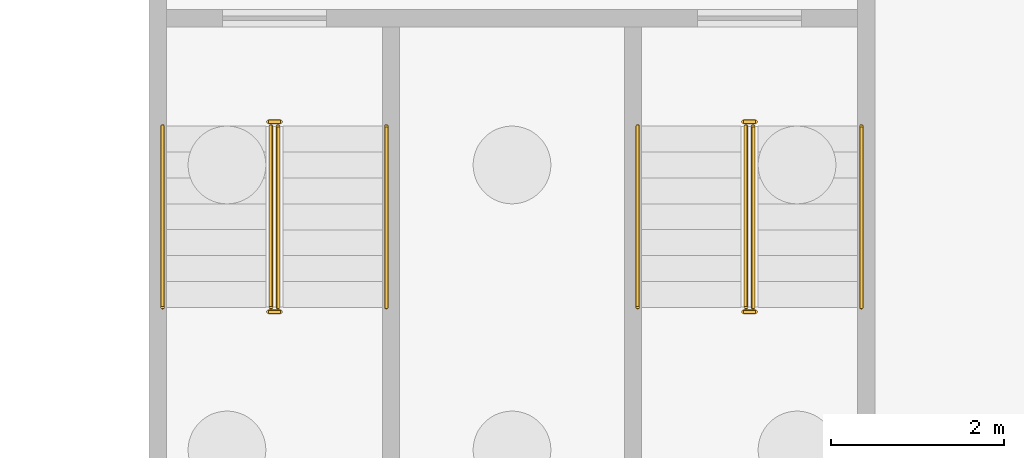
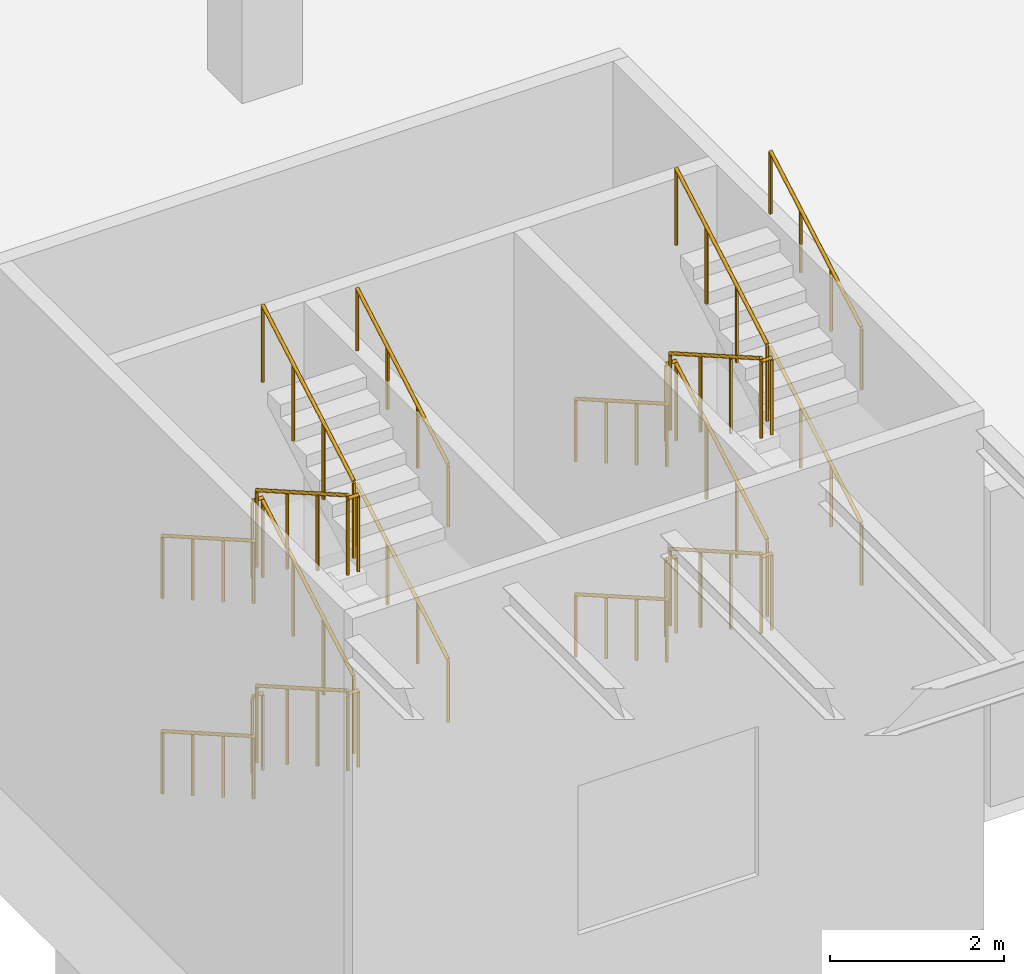
# One storey, part 60 of 82: 24 railings.
"""IFC4 building model written with IfcOpenShell, lengths in metres."""

import ifcopenshell
import ifcopenshell.guid

model = None  # the IFC model being written
_history = None  # IfcOwnerHistory: only IFC2X3 demands one
_inside = {}  # id of a spatial element -> (the spatial element, [elements in it])
_under = {}  # id of a project, library or spatial element -> (it, [spatial elements below it])
_declared = {}  # id of a project -> (the project, [libraries it declares])
_typed = {}  # id of a type object -> (the type object, [elements of that type])
_made_of = {}  # id of a material, layer set ... -> (it, [elements and type objects made of it])


def new_model(schema):
    """Start an empty IFC model of exactly this schema.

    Asked for "IFC4X3", IfcOpenShell would pick the latest addendum, in which some entities
    have other attributes; the version numbers below select the first issue.
    IFC2X3 requires an IfcOwnerHistory on every rooted entity: one is made here for all.
    """
    global model, _history
    if schema == "IFC4X3":
        model = ifcopenshell.file(schema_version=(4, 3, 0, 0))
    else:
        model = ifcopenshell.file(schema=schema)
    _inside.clear()
    _under.clear()
    _declared.clear()
    _typed.clear()
    _made_of.clear()
    _history = None
    if model.schema == "IFC2X3":
        org = make("IfcOrganization", Name="unknown")
        user = make(
            "IfcPersonAndOrganization",
            ThePerson=make("IfcPerson", FamilyName="unknown"),
            TheOrganization=org,
        )
        app = make(
            "IfcApplication",
            ApplicationDeveloper=org,
            Version="unknown",
            ApplicationFullName="unknown",
            ApplicationIdentifier="unknown",
        )
        _history = make(
            "IfcOwnerHistory",
            OwningUser=user,
            OwningApplication=app,
            ChangeAction="ADDED",
            CreationDate=0,
        )
    return model


def make(cls, **values):
    """One entity of the class cls with the attributes given. An attribute that is None is left unset."""
    return model.create_entity(
        cls, **{name: value for name, value in values.items() if value is not None}
    )


def rooted(cls, **values):
    """An entity with a GlobalId (a new one), such as an element, a storey or a relation."""
    return make(cls, GlobalId=ifcopenshell.guid.new(), OwnerHistory=_history, **values)


def si_unit(unit_type, name, prefix=None):
    """IfcSIUnit, for example si_unit("LENGTHUNIT", "METRE", prefix="MILLI")."""
    return make("IfcSIUnit", UnitType=unit_type, Prefix=prefix, Name=name)


def assignment(units):
    """IfcUnitAssignment: the units of a project."""
    return None if units is None else make("IfcUnitAssignment", Units=units)


def point(xyz):
    """IfcCartesianPoint."""
    return None if xyz is None else make("IfcCartesianPoint", Coordinates=xyz)


def direction(xyz):
    """IfcDirection."""
    return None if xyz is None else make("IfcDirection", DirectionRatios=xyz)


def frame(location, z_axis=None, x_axis=None):
    """IfcAxis2Placement3D, a coordinate frame: its origin and axes. An axis left out is left unset."""
    return make(
        "IfcAxis2Placement3D",
        Location=point(location),
        Axis=direction(z_axis),
        RefDirection=direction(x_axis),
    )


def frame_2d(location, x_axis=None):
    """IfcAxis2Placement2D, a coordinate frame in the plane: its origin and x axis."""
    return make(
        "IfcAxis2Placement2D", Location=point(location), RefDirection=direction(x_axis)
    )


def origin():
    """The frame at (0, 0, 0) with its axes left unset."""
    return frame((0.0, 0.0, 0.0))


def origin_2d():
    """The frame at (0, 0) in the plane with its x axis left unset."""
    return frame_2d((0.0, 0.0))


def place(relative_to, where):
    """IfcLocalPlacement: puts the frame where relative to a parent placement (None: the world)."""
    return make(
        "IfcLocalPlacement", PlacementRelTo=relative_to, RelativePlacement=where
    )


def context(
    kind, dimensions, precision=None, world=None, true_north=None, identifier=None
):
    """IfcGeometricRepresentationContext, for example the 3D "Model" context."""
    return make(
        "IfcGeometricRepresentationContext",
        ContextIdentifier=identifier,
        ContextType=kind,
        CoordinateSpaceDimension=dimensions,
        Precision=precision,
        WorldCoordinateSystem=world,
        TrueNorth=true_north,
    )


def subcontext(parent, identifier, kind, view, scale=None):
    """IfcGeometricRepresentationSubContext, for example "Body" below "Model"."""
    return make(
        "IfcGeometricRepresentationSubContext",
        ContextIdentifier=identifier,
        ContextType=kind,
        ParentContext=parent,
        TargetScale=scale,
        TargetView=view,
    )


def project(units=None, contexts=None):
    """IfcProject with its units and contexts."""
    return rooted(
        "IfcProject",
        Name="project",
        RepresentationContexts=contexts,
        UnitsInContext=assignment(units),
    )


def spatial(cls, under=None, at=None, **own):
    """A site, building, storey or space (cls), placed at a placement, below another one or the project."""
    s = rooted(cls, ObjectPlacement=at, **own)
    if under is not None:
        _under.setdefault(under.id(), (under, []))[1].append(s)
    return s


def profile(cls, at=None, kind="AREA", **sizes):
    """A parametric profile (cls). Its sizes go by their IFC names, for example OverallWidth=200.0."""
    return make(cls, ProfileType=kind, Position=at, **sizes)


def circle(**sizes):
    """IfcCircleProfileDef."""
    return profile("IfcCircleProfileDef", **sizes)


def extrude(swept, where, along, depth):
    """IfcExtrudedAreaSolid: the profile swept, set in the frame where, extruded along a direction by depth."""
    return make(
        "IfcExtrudedAreaSolid",
        SweptArea=swept,
        Position=where,
        ExtrudedDirection=direction(along),
        Depth=depth,
    )


def shape(context_of_items, identifier, shape_type, items):
    """IfcShapeRepresentation: the items that make up one representation, for example the "Body"."""
    return make(
        "IfcShapeRepresentation",
        ContextOfItems=context_of_items,
        RepresentationIdentifier=identifier,
        RepresentationType=shape_type,
        Items=items,
    )


def material(Name=None, Category=None):
    """IfcMaterial."""
    return make("IfcMaterial", Name=Name, Category=Category)


def made_of(thing, what):
    """Note that an element or type object is made of a material, layer set ...; save() writes the relation."""
    if what is not None:
        _made_of.setdefault(what.id(), (what, []))[1].append(thing)
    return thing


def type_object(cls, material=None, **own):
    """A type object (cls), such as IfcWallType, which elements share."""
    return made_of(rooted(cls, **own), material)


def element(
    cls,
    number,
    at=None,
    inside=None,
    cuts=None,
    type_object=None,
    material=None,
    context=None,
    identifier="Body",
    shape_type=None,
    held_by="IfcProductDefinitionShape",
    body=None,
    shapes=None,
    **own,
):
    """One element of the class cls, such as IfcWall. Its Tag is "e" and its number.

    at: its placement. inside: the storey or other place that contains it. cuts: it is an
    opening in that element (IfcRelVoidsElement). A single representation is given by context,
    identifier, shape_type and body (its items); several are given by shapes. held_by: the class
    of the entity that holds the representations. save() writes the other relations.
    """
    e = rooted(cls, Tag="e%d" % number, ObjectPlacement=at, **own)
    if body is not None:
        shapes = [shape(context, identifier, shape_type, body)]
    if shapes is not None:
        e.Representation = make(held_by, Representations=shapes)
    if inside is not None:
        _inside.setdefault(inside.id(), (inside, []))[1].append(e)
    if cuts is not None:
        rooted(
            "IfcRelVoidsElement", RelatingBuildingElement=cuts, RelatedOpeningElement=e
        )
    if type_object is not None:
        _typed.setdefault(type_object.id(), (type_object, []))[1].append(e)
    return made_of(e, material)


def aggregate(whole, parts):
    """IfcRelAggregates: a whole, such as a stair, and the parts it consists of."""
    return rooted("IfcRelAggregates", RelatingObject=whole, RelatedObjects=parts)


def save(model, path):
    """Write the relations noted so far, then the file.

    IfcRelAggregates (storeys below a building ...), IfcRelContainedInSpatialStructure (elements
    in a storey), IfcRelDefinesByType, IfcRelAssociatesMaterial and IfcRelDeclares: one each for
    every whole, place, type object, material and project.
    """
    for whole, parts in _under.values():
        aggregate(whole, parts)
    for where, things in _inside.values():
        rooted(
            "IfcRelContainedInSpatialStructure",
            RelatedElements=things,
            RelatingStructure=where,
        )
    for kind, things in _typed.values():
        rooted("IfcRelDefinesByType", RelatedObjects=things, RelatingType=kind)
    for what, things in _made_of.values():
        rooted("IfcRelAssociatesMaterial", RelatedObjects=things, RelatingMaterial=what)
    for by, libraries in _declared.values():
        rooted("IfcRelDeclares", RelatingContext=by, RelatedDefinitions=libraries)
    model.write(path)


model = new_model("IFC4")

# Units and contexts
model_context = context("Model", 3, precision=1e-05, world=origin(), true_north=direction((0.0, 1.0)))
body_context = subcontext(model_context, "Body", "Model", "MODEL_VIEW")
ifc_project = project(units=[si_unit("LENGTHUNIT", "METRE"), si_unit("AREAUNIT", "SQUARE_METRE"), si_unit("VOLUMEUNIT", "CUBIC_METRE"), si_unit("PLANEANGLEUNIT", "RADIAN"), si_unit("MASSUNIT", "GRAM", prefix="KILO")], contexts=[model_context])

# Site, building, storey
site_placement = place(None, origin())
site = spatial("IfcSite", under=ifc_project, at=site_placement, CompositionType="ELEMENT")
building_placement = place(site_placement, origin())
building = spatial("IfcBuilding", under=site, at=building_placement, Name="Almond Square Museum", CompositionType="ELEMENT")
storey_placement = place(building_placement, origin())
storey = spatial("IfcBuildingStorey", under=building, at=storey_placement, Name="L00", CompositionType="ELEMENT", Elevation=0.0)

# Railings
ifc_material_1 = material(Name="Stainless steel and laminated glass", Category="steel")
railing_type_1 = type_object("IfcRailingType", Name="Stair guard 1100 steel and glass", PredefinedType="GUARDRAIL", material=ifc_material_1)
railing_1_placement = place(storey_placement, frame((108.2099609375, 55.050048828125, 0.171875)))
element("IfcRailing", 1, at=railing_1_placement, inside=storey, type_object=railing_type_1, Name="L00 ST-01 stair guard 1", PredefinedType="GUARDRAIL", context=body_context, shape_type="SweptSolid", body=[
    extrude(circle(Radius=0.02392578125, at=origin_2d()), frame((0.0, 0.0, 1.076171875), z_axis=(0.0, -0.867696358075, 0.497094588769), x_axis=(1.0, 0.0, 0.0)), (0.0, 0.0, 1.0), 2.42041015625),
    extrude(circle(Radius=0.02099609375, at=origin_2d()), origin(), (0.0, 0.0, 1.0), 1.052001953125),
    extrude(circle(Radius=0.02099609375, at=origin_2d()), frame((0.0, -0.699951171875, 0.401123046875)), (0.0, 0.0, 1.0), 1.052001953125),
    extrude(circle(Radius=0.02099609375, at=origin_2d()), frame((0.0, -1.400146484375, 0.802001953125)), (0.0, 0.0, 1.0), 1.052001953125),
    extrude(circle(Radius=0.02099609375, at=origin_2d()), frame((0.0, -2.10009765625, 1.203125)), (0.0, 0.0, 1.0), 1.052001953125),
])
railing_2_placement = place(storey_placement, frame((108.179931640625, 52.89990234375, 1.375)))
element("IfcRailing", 2, at=railing_2_placement, inside=storey, type_object=railing_type_1, Name="L00 ST-01 stair guard 2", PredefinedType="GUARDRAIL", context=body_context, shape_type="SweptSolid", body=[
    extrude(circle(Radius=0.02392578125, at=origin_2d()), frame((0.0, 0.0, 1.076171875), z_axis=(1.0, 0.0, 0.0), x_axis=(0.0, 1.0, 0.0)), (0.0, 0.0, 1.0), 0.14013671875),
    extrude(circle(Radius=0.02099609375, at=origin_2d()), origin(), (0.0, 0.0, 1.0), 1.052001953125),
    extrude(circle(Radius=0.02099609375, at=origin_2d()), frame((0.14013671875, 0.0, 0.0)), (0.0, 0.0, 1.0), 1.052001953125),
])
railing_3_placement = place(storey_placement, frame((108.2900390625, 52.949951171875, 1.546875)))
element("IfcRailing", 3, at=railing_3_placement, inside=storey, type_object=railing_type_1, Name="L00 ST-01 stair guard 3", PredefinedType="GUARDRAIL", context=body_context, shape_type="SweptSolid", body=[
    extrude(circle(Radius=0.02392578125, at=origin_2d()), frame((0.0, 0.0, 1.076171875), z_axis=(0.0, 0.867696358075, 0.497094588769), x_axis=(-1.0, 0.0, 0.0)), (0.0, 0.0, 1.0), 2.42041015625),
    extrude(circle(Radius=0.02099609375, at=origin_2d()), origin(), (0.0, 0.0, 1.0), 1.052001953125),
    extrude(circle(Radius=0.02099609375, at=origin_2d()), frame((0.0, 0.699951171875, 0.401123046875)), (0.0, 0.0, 1.0), 1.052001953125),
    extrude(circle(Radius=0.02099609375, at=origin_2d()), frame((0.0, 1.400146484375, 0.802001953125)), (0.0, 0.0, 1.0), 1.052001953125),
    extrude(circle(Radius=0.02099609375, at=origin_2d()), frame((0.0, 2.10009765625, 1.203125)), (0.0, 0.0, 1.0), 1.052001953125),
])
railing_4_placement = place(storey_placement, frame((108.179931640625, 55.10009765625, 2.75)))
element("IfcRailing", 4, at=railing_4_placement, inside=storey, type_object=railing_type_1, Name="L00 ST-01 stair guard 4", PredefinedType="GUARDRAIL", context=body_context, shape_type="SweptSolid", body=[
    extrude(circle(Radius=0.02392578125, at=origin_2d()), frame((0.0, 0.0, 1.076171875), z_axis=(1.0, 0.0, 0.0), x_axis=(0.0, 1.0, 0.0)), (0.0, 0.0, 1.0), 0.14013671875),
    extrude(circle(Radius=0.02099609375, at=origin_2d()), origin(), (0.0, 0.0, 1.0), 1.052001953125),
    extrude(circle(Radius=0.02099609375, at=origin_2d()), frame((0.14013671875, 0.0, 0.0)), (0.0, 0.0, 1.0), 1.052001953125),
])
railing_5_placement = place(storey_placement, frame((108.2099609375, 55.050048828125, 2.921875)))
element("IfcRailing", 5, at=railing_5_placement, inside=storey, type_object=railing_type_1, Name="L00 ST-01 stair guard 5", PredefinedType="GUARDRAIL", context=body_context, shape_type="SweptSolid", body=[
    extrude(circle(Radius=0.02392578125, at=origin_2d()), frame((0.0, 0.0, 1.076171875), z_axis=(0.0, -0.867696358075, 0.497094588769), x_axis=(1.0, 0.0, 0.0)), (0.0, 0.0, 1.0), 2.42041015625),
    extrude(circle(Radius=0.02099609375, at=origin_2d()), origin(), (0.0, 0.0, 1.0), 1.052001953125),
    extrude(circle(Radius=0.02099609375, at=origin_2d()), frame((0.0, -0.699951171875, 0.401123046875)), (0.0, 0.0, 1.0), 1.052001953125),
    extrude(circle(Radius=0.02099609375, at=origin_2d()), frame((0.0, -1.400146484375, 0.802001953125)), (0.0, 0.0, 1.0), 1.052001953125),
    extrude(circle(Radius=0.02099609375, at=origin_2d()), frame((0.0, -2.10009765625, 1.203125)), (0.0, 0.0, 1.0), 1.052001953125),
])
railing_6_placement = place(storey_placement, frame((108.179931640625, 52.89990234375, 4.125)))
element("IfcRailing", 6, at=railing_6_placement, inside=storey, type_object=railing_type_1, Name="L00 ST-01 stair guard 6", PredefinedType="GUARDRAIL", context=body_context, shape_type="SweptSolid", body=[
    extrude(circle(Radius=0.02392578125, at=origin_2d()), frame((0.0, 0.0, 1.076171875), z_axis=(1.0, 0.0, 0.0), x_axis=(0.0, 1.0, 0.0)), (0.0, 0.0, 1.0), 0.14013671875),
    extrude(circle(Radius=0.02099609375, at=origin_2d()), origin(), (0.0, 0.0, 1.0), 1.052001953125),
    extrude(circle(Radius=0.02099609375, at=origin_2d()), frame((0.14013671875, 0.0, 0.0)), (0.0, 0.0, 1.0), 1.052001953125),
])
railing_7_placement = place(storey_placement, frame((108.2900390625, 52.949951171875, 4.296875)))
element("IfcRailing", 7, at=railing_7_placement, inside=storey, type_object=railing_type_1, Name="L00 ST-01 stair guard 7", PredefinedType="GUARDRAIL", context=body_context, shape_type="SweptSolid", body=[
    extrude(circle(Radius=0.02392578125, at=origin_2d()), frame((0.0, 0.0, 1.076171875), z_axis=(0.0, 0.867696358075, 0.497094588769), x_axis=(-1.0, 0.0, 0.0)), (0.0, 0.0, 1.0), 2.42041015625),
    extrude(circle(Radius=0.02099609375, at=origin_2d()), origin(), (0.0, 0.0, 1.0), 1.052001953125),
    extrude(circle(Radius=0.02099609375, at=origin_2d()), frame((0.0, 0.699951171875, 0.401123046875)), (0.0, 0.0, 1.0), 1.052001953125),
    extrude(circle(Radius=0.02099609375, at=origin_2d()), frame((0.0, 1.400146484375, 0.802001953125)), (0.0, 0.0, 1.0), 1.052001953125),
    extrude(circle(Radius=0.02099609375, at=origin_2d()), frame((0.0, 2.10009765625, 1.203125)), (0.0, 0.0, 1.0), 1.052001953125),
])
railing_8_placement = place(storey_placement, frame((108.179931640625, 55.10009765625, 0.0)))
element("IfcRailing", 8, at=railing_8_placement, inside=storey, type_object=railing_type_1, Name="L00 ST-01 stair guard 8", PredefinedType="GUARDRAIL", context=body_context, shape_type="SweptSolid", body=[
    extrude(circle(Radius=0.02392578125, at=origin_2d()), frame((0.0, 0.0, 1.076171875), z_axis=(1.0, 0.0, 0.0), x_axis=(0.0, 1.0, 0.0)), (0.0, 0.0, 1.0), 0.14013671875),
    extrude(circle(Radius=0.02099609375, at=origin_2d()), origin(), (0.0, 0.0, 1.0), 1.052001953125),
    extrude(circle(Radius=0.02099609375, at=origin_2d()), frame((0.14013671875, 0.0, 0.0)), (0.0, 0.0, 1.0), 1.052001953125),
])
railing_9_placement = place(storey_placement, frame((113.7099609375, 55.050048828125, 0.171875)))
element("IfcRailing", 9, at=railing_9_placement, inside=storey, type_object=railing_type_1, Name="L00 ST-02 stair guard 1", PredefinedType="GUARDRAIL", context=body_context, shape_type="SweptSolid", body=[
    extrude(circle(Radius=0.02392578125, at=origin_2d()), frame((0.0, 0.0, 1.076171875), z_axis=(0.0, -0.867696358075, 0.497094588769), x_axis=(1.0, 0.0, 0.0)), (0.0, 0.0, 1.0), 2.42041015625),
    extrude(circle(Radius=0.02099609375, at=origin_2d()), origin(), (0.0, 0.0, 1.0), 1.052001953125),
    extrude(circle(Radius=0.02099609375, at=origin_2d()), frame((0.0, -0.699951171875, 0.401123046875)), (0.0, 0.0, 1.0), 1.052001953125),
    extrude(circle(Radius=0.02099609375, at=origin_2d()), frame((0.0, -1.400146484375, 0.802001953125)), (0.0, 0.0, 1.0), 1.052001953125),
    extrude(circle(Radius=0.02099609375, at=origin_2d()), frame((0.0, -2.10009765625, 1.203125)), (0.0, 0.0, 1.0), 1.052001953125),
])
railing_10_placement = place(storey_placement, frame((113.679931640625, 52.89990234375, 1.375)))
element("IfcRailing", 10, at=railing_10_placement, inside=storey, type_object=railing_type_1, Name="L00 ST-02 stair guard 2", PredefinedType="GUARDRAIL", context=body_context, shape_type="SweptSolid", body=[
    extrude(circle(Radius=0.02392578125, at=origin_2d()), frame((0.0, 0.0, 1.076171875), z_axis=(1.0, 0.0, 0.0), x_axis=(0.0, 1.0, 0.0)), (0.0, 0.0, 1.0), 0.14013671875),
    extrude(circle(Radius=0.02099609375, at=origin_2d()), origin(), (0.0, 0.0, 1.0), 1.052001953125),
    extrude(circle(Radius=0.02099609375, at=origin_2d()), frame((0.14013671875, 0.0, 0.0)), (0.0, 0.0, 1.0), 1.052001953125),
])
railing_11_placement = place(storey_placement, frame((113.7900390625, 52.949951171875, 1.546875)))
element("IfcRailing", 11, at=railing_11_placement, inside=storey, type_object=railing_type_1, Name="L00 ST-02 stair guard 3", PredefinedType="GUARDRAIL", context=body_context, shape_type="SweptSolid", body=[
    extrude(circle(Radius=0.02392578125, at=origin_2d()), frame((0.0, 0.0, 1.076171875), z_axis=(0.0, 0.867696358075, 0.497094588769), x_axis=(-1.0, 0.0, 0.0)), (0.0, 0.0, 1.0), 2.42041015625),
    extrude(circle(Radius=0.02099609375, at=origin_2d()), origin(), (0.0, 0.0, 1.0), 1.052001953125),
    extrude(circle(Radius=0.02099609375, at=origin_2d()), frame((0.0, 0.699951171875, 0.401123046875)), (0.0, 0.0, 1.0), 1.052001953125),
    extrude(circle(Radius=0.02099609375, at=origin_2d()), frame((0.0, 1.400146484375, 0.802001953125)), (0.0, 0.0, 1.0), 1.052001953125),
    extrude(circle(Radius=0.02099609375, at=origin_2d()), frame((0.0, 2.10009765625, 1.203125)), (0.0, 0.0, 1.0), 1.052001953125),
])
railing_12_placement = place(storey_placement, frame((113.679931640625, 55.10009765625, 2.75)))
element("IfcRailing", 12, at=railing_12_placement, inside=storey, type_object=railing_type_1, Name="L00 ST-02 stair guard 4", PredefinedType="GUARDRAIL", context=body_context, shape_type="SweptSolid", body=[
    extrude(circle(Radius=0.02392578125, at=origin_2d()), frame((0.0, 0.0, 1.076171875), z_axis=(1.0, 0.0, 0.0), x_axis=(0.0, 1.0, 0.0)), (0.0, 0.0, 1.0), 0.14013671875),
    extrude(circle(Radius=0.02099609375, at=origin_2d()), origin(), (0.0, 0.0, 1.0), 1.052001953125),
    extrude(circle(Radius=0.02099609375, at=origin_2d()), frame((0.14013671875, 0.0, 0.0)), (0.0, 0.0, 1.0), 1.052001953125),
])
railing_13_placement = place(storey_placement, frame((113.7099609375, 55.050048828125, 2.921875)))
element("IfcRailing", 13, at=railing_13_placement, inside=storey, type_object=railing_type_1, Name="L00 ST-02 stair guard 5", PredefinedType="GUARDRAIL", context=body_context, shape_type="SweptSolid", body=[
    extrude(circle(Radius=0.02392578125, at=origin_2d()), frame((0.0, 0.0, 1.076171875), z_axis=(0.0, -0.867696358075, 0.497094588769), x_axis=(1.0, 0.0, 0.0)), (0.0, 0.0, 1.0), 2.42041015625),
    extrude(circle(Radius=0.02099609375, at=origin_2d()), origin(), (0.0, 0.0, 1.0), 1.052001953125),
    extrude(circle(Radius=0.02099609375, at=origin_2d()), frame((0.0, -0.699951171875, 0.401123046875)), (0.0, 0.0, 1.0), 1.052001953125),
    extrude(circle(Radius=0.02099609375, at=origin_2d()), frame((0.0, -1.400146484375, 0.802001953125)), (0.0, 0.0, 1.0), 1.052001953125),
    extrude(circle(Radius=0.02099609375, at=origin_2d()), frame((0.0, -2.10009765625, 1.203125)), (0.0, 0.0, 1.0), 1.052001953125),
])
railing_14_placement = place(storey_placement, frame((113.679931640625, 52.89990234375, 4.125)))
element("IfcRailing", 14, at=railing_14_placement, inside=storey, type_object=railing_type_1, Name="L00 ST-02 stair guard 6", PredefinedType="GUARDRAIL", context=body_context, shape_type="SweptSolid", body=[
    extrude(circle(Radius=0.02392578125, at=origin_2d()), frame((0.0, 0.0, 1.076171875), z_axis=(1.0, 0.0, 0.0), x_axis=(0.0, 1.0, 0.0)), (0.0, 0.0, 1.0), 0.14013671875),
    extrude(circle(Radius=0.02099609375, at=origin_2d()), origin(), (0.0, 0.0, 1.0), 1.052001953125),
    extrude(circle(Radius=0.02099609375, at=origin_2d()), frame((0.14013671875, 0.0, 0.0)), (0.0, 0.0, 1.0), 1.052001953125),
])
railing_15_placement = place(storey_placement, frame((113.7900390625, 52.949951171875, 4.296875)))
element("IfcRailing", 15, at=railing_15_placement, inside=storey, type_object=railing_type_1, Name="L00 ST-02 stair guard 7", PredefinedType="GUARDRAIL", context=body_context, shape_type="SweptSolid", body=[
    extrude(circle(Radius=0.02392578125, at=origin_2d()), frame((0.0, 0.0, 1.076171875), z_axis=(0.0, 0.867696358075, 0.497094588769), x_axis=(-1.0, 0.0, 0.0)), (0.0, 0.0, 1.0), 2.42041015625),
    extrude(circle(Radius=0.02099609375, at=origin_2d()), origin(), (0.0, 0.0, 1.0), 1.052001953125),
    extrude(circle(Radius=0.02099609375, at=origin_2d()), frame((0.0, 0.699951171875, 0.401123046875)), (0.0, 0.0, 1.0), 1.052001953125),
    extrude(circle(Radius=0.02099609375, at=origin_2d()), frame((0.0, 1.400146484375, 0.802001953125)), (0.0, 0.0, 1.0), 1.052001953125),
    extrude(circle(Radius=0.02099609375, at=origin_2d()), frame((0.0, 2.10009765625, 1.203125)), (0.0, 0.0, 1.0), 1.052001953125),
])
railing_16_placement = place(storey_placement, frame((113.679931640625, 55.10009765625, 0.0)))
element("IfcRailing", 16, at=railing_16_placement, inside=storey, type_object=railing_type_1, Name="L00 ST-02 stair guard 8", PredefinedType="GUARDRAIL", context=body_context, shape_type="SweptSolid", body=[
    extrude(circle(Radius=0.02392578125, at=origin_2d()), frame((0.0, 0.0, 1.076171875), z_axis=(1.0, 0.0, 0.0), x_axis=(0.0, 1.0, 0.0)), (0.0, 0.0, 1.0), 0.14013671875),
    extrude(circle(Radius=0.02099609375, at=origin_2d()), origin(), (0.0, 0.0, 1.0), 1.052001953125),
    extrude(circle(Radius=0.02099609375, at=origin_2d()), frame((0.14013671875, 0.0, 0.0)), (0.0, 0.0, 1.0), 1.052001953125),
])
ifc_material_2 = material(Name="Stainless steel", Category="steel")
railing_type_2 = type_object("IfcRailingType", Name="Stair handrail 900 steel", PredefinedType="HANDRAIL", material=ifc_material_2)
railing_17_placement = place(storey_placement, frame((106.955078125, 55.050048828125, 0.171875)))
element("IfcRailing", 17, at=railing_17_placement, inside=storey, type_object=railing_type_2, Name="L00 ST-01 stair handrail 1", PredefinedType="HANDRAIL", context=body_context, shape_type="SweptSolid", body=[
    extrude(circle(Radius=0.02392578125, at=origin_2d()), frame((0.0, 0.0, 0.8759765625), z_axis=(0.0, -0.867696358075, 0.497094588769), x_axis=(1.0, 0.0, 0.0)), (0.0, 0.0, 1.0), 2.42041015625),
    extrude(circle(Radius=0.02099609375, at=origin_2d()), origin(), (0.0, 0.0, 1.0), 0.851806640625),
    extrude(circle(Radius=0.02099609375, at=origin_2d()), frame((0.0, -0.699951171875, 0.401123046875)), (0.0, 0.0, 1.0), 0.851806640625),
    extrude(circle(Radius=0.02099609375, at=origin_2d()), frame((0.0, -1.400146484375, 0.802001953125)), (0.0, 0.0, 1.0), 0.851806640625),
    extrude(circle(Radius=0.02099609375, at=origin_2d()), frame((0.0, -2.10009765625, 1.203125)), (0.0, 0.0, 1.0), 0.851806640625),
])
railing_18_placement = place(storey_placement, frame((109.544921875, 52.949951171875, 1.546875)))
element("IfcRailing", 18, at=railing_18_placement, inside=storey, type_object=railing_type_2, Name="L00 ST-01 stair handrail 2", PredefinedType="HANDRAIL", context=body_context, shape_type="SweptSolid", body=[
    extrude(circle(Radius=0.02392578125, at=origin_2d()), frame((0.0, 0.0, 0.8759765625), z_axis=(0.0, 0.867696358075, 0.497094588769), x_axis=(-1.0, 0.0, 0.0)), (0.0, 0.0, 1.0), 2.42041015625),
    extrude(circle(Radius=0.02099609375, at=origin_2d()), origin(), (0.0, 0.0, 1.0), 0.851806640625),
    extrude(circle(Radius=0.02099609375, at=origin_2d()), frame((0.0, 0.699951171875, 0.401123046875)), (0.0, 0.0, 1.0), 0.851806640625),
    extrude(circle(Radius=0.02099609375, at=origin_2d()), frame((0.0, 1.400146484375, 0.802001953125)), (0.0, 0.0, 1.0), 0.851806640625),
    extrude(circle(Radius=0.02099609375, at=origin_2d()), frame((0.0, 2.10009765625, 1.203125)), (0.0, 0.0, 1.0), 0.851806640625),
])
railing_19_placement = place(storey_placement, frame((106.955078125, 55.050048828125, 2.921875)))
element("IfcRailing", 19, at=railing_19_placement, inside=storey, type_object=railing_type_2, Name="L00 ST-01 stair handrail 3", PredefinedType="HANDRAIL", context=body_context, shape_type="SweptSolid", body=[
    extrude(circle(Radius=0.02392578125, at=origin_2d()), frame((0.0, 0.0, 0.8759765625), z_axis=(0.0, -0.867696358075, 0.497094588769), x_axis=(1.0, 0.0, 0.0)), (0.0, 0.0, 1.0), 2.42041015625),
    extrude(circle(Radius=0.02099609375, at=origin_2d()), origin(), (0.0, 0.0, 1.0), 0.851806640625),
    extrude(circle(Radius=0.02099609375, at=origin_2d()), frame((0.0, -0.699951171875, 0.401123046875)), (0.0, 0.0, 1.0), 0.851806640625),
    extrude(circle(Radius=0.02099609375, at=origin_2d()), frame((0.0, -1.400146484375, 0.802001953125)), (0.0, 0.0, 1.0), 0.851806640625),
    extrude(circle(Radius=0.02099609375, at=origin_2d()), frame((0.0, -2.10009765625, 1.203125)), (0.0, 0.0, 1.0), 0.851806640625),
])
railing_20_placement = place(storey_placement, frame((109.544921875, 52.949951171875, 4.296875)))
element("IfcRailing", 20, at=railing_20_placement, inside=storey, type_object=railing_type_2, Name="L00 ST-01 stair handrail 4", PredefinedType="HANDRAIL", context=body_context, shape_type="SweptSolid", body=[
    extrude(circle(Radius=0.02392578125, at=origin_2d()), frame((0.0, 0.0, 0.8759765625), z_axis=(0.0, 0.867696358075, 0.497094588769), x_axis=(-1.0, 0.0, 0.0)), (0.0, 0.0, 1.0), 2.42041015625),
    extrude(circle(Radius=0.02099609375, at=origin_2d()), origin(), (0.0, 0.0, 1.0), 0.851806640625),
    extrude(circle(Radius=0.02099609375, at=origin_2d()), frame((0.0, 0.699951171875, 0.401123046875)), (0.0, 0.0, 1.0), 0.851806640625),
    extrude(circle(Radius=0.02099609375, at=origin_2d()), frame((0.0, 1.400146484375, 0.802001953125)), (0.0, 0.0, 1.0), 0.851806640625),
    extrude(circle(Radius=0.02099609375, at=origin_2d()), frame((0.0, 2.10009765625, 1.203125)), (0.0, 0.0, 1.0), 0.851806640625),
])
railing_21_placement = place(storey_placement, frame((112.455078125, 55.050048828125, 0.171875)))
element("IfcRailing", 21, at=railing_21_placement, inside=storey, type_object=railing_type_2, Name="L00 ST-02 stair handrail 1", PredefinedType="HANDRAIL", context=body_context, shape_type="SweptSolid", body=[
    extrude(circle(Radius=0.02392578125, at=origin_2d()), frame((0.0, 0.0, 0.8759765625), z_axis=(0.0, -0.867696358075, 0.497094588769), x_axis=(1.0, 0.0, 0.0)), (0.0, 0.0, 1.0), 2.42041015625),
    extrude(circle(Radius=0.02099609375, at=origin_2d()), origin(), (0.0, 0.0, 1.0), 0.851806640625),
    extrude(circle(Radius=0.02099609375, at=origin_2d()), frame((0.0, -0.699951171875, 0.401123046875)), (0.0, 0.0, 1.0), 0.851806640625),
    extrude(circle(Radius=0.02099609375, at=origin_2d()), frame((0.0, -1.400146484375, 0.802001953125)), (0.0, 0.0, 1.0), 0.851806640625),
    extrude(circle(Radius=0.02099609375, at=origin_2d()), frame((0.0, -2.10009765625, 1.203125)), (0.0, 0.0, 1.0), 0.851806640625),
])
railing_22_placement = place(storey_placement, frame((115.044921875, 52.949951171875, 1.546875)))
element("IfcRailing", 22, at=railing_22_placement, inside=storey, type_object=railing_type_2, Name="L00 ST-02 stair handrail 2", PredefinedType="HANDRAIL", context=body_context, shape_type="SweptSolid", body=[
    extrude(circle(Radius=0.02392578125, at=origin_2d()), frame((0.0, 0.0, 0.8759765625), z_axis=(0.0, 0.867696358075, 0.497094588769), x_axis=(-1.0, 0.0, 0.0)), (0.0, 0.0, 1.0), 2.42041015625),
    extrude(circle(Radius=0.02099609375, at=origin_2d()), origin(), (0.0, 0.0, 1.0), 0.851806640625),
    extrude(circle(Radius=0.02099609375, at=origin_2d()), frame((0.0, 0.699951171875, 0.401123046875)), (0.0, 0.0, 1.0), 0.851806640625),
    extrude(circle(Radius=0.02099609375, at=origin_2d()), frame((0.0, 1.400146484375, 0.802001953125)), (0.0, 0.0, 1.0), 0.851806640625),
    extrude(circle(Radius=0.02099609375, at=origin_2d()), frame((0.0, 2.10009765625, 1.203125)), (0.0, 0.0, 1.0), 0.851806640625),
])
railing_23_placement = place(storey_placement, frame((112.455078125, 55.050048828125, 2.921875)))
element("IfcRailing", 23, at=railing_23_placement, inside=storey, type_object=railing_type_2, Name="L00 ST-02 stair handrail 3", PredefinedType="HANDRAIL", context=body_context, shape_type="SweptSolid", body=[
    extrude(circle(Radius=0.02392578125, at=origin_2d()), frame((0.0, 0.0, 0.8759765625), z_axis=(0.0, -0.867696358075, 0.497094588769), x_axis=(1.0, 0.0, 0.0)), (0.0, 0.0, 1.0), 2.42041015625),
    extrude(circle(Radius=0.02099609375, at=origin_2d()), origin(), (0.0, 0.0, 1.0), 0.851806640625),
    extrude(circle(Radius=0.02099609375, at=origin_2d()), frame((0.0, -0.699951171875, 0.401123046875)), (0.0, 0.0, 1.0), 0.851806640625),
    extrude(circle(Radius=0.02099609375, at=origin_2d()), frame((0.0, -1.400146484375, 0.802001953125)), (0.0, 0.0, 1.0), 0.851806640625),
    extrude(circle(Radius=0.02099609375, at=origin_2d()), frame((0.0, -2.10009765625, 1.203125)), (0.0, 0.0, 1.0), 0.851806640625),
])
railing_24_placement = place(storey_placement, frame((115.044921875, 52.949951171875, 4.296875)))
element("IfcRailing", 24, at=railing_24_placement, inside=storey, type_object=railing_type_2, Name="L00 ST-02 stair handrail 4", PredefinedType="HANDRAIL", context=body_context, shape_type="SweptSolid", body=[
    extrude(circle(Radius=0.02392578125, at=origin_2d()), frame((0.0, 0.0, 0.8759765625), z_axis=(0.0, 0.867696358075, 0.497094588769), x_axis=(-1.0, 0.0, 0.0)), (0.0, 0.0, 1.0), 2.42041015625),
    extrude(circle(Radius=0.02099609375, at=origin_2d()), origin(), (0.0, 0.0, 1.0), 0.851806640625),
    extrude(circle(Radius=0.02099609375, at=origin_2d()), frame((0.0, 0.699951171875, 0.401123046875)), (0.0, 0.0, 1.0), 0.851806640625),
    extrude(circle(Radius=0.02099609375, at=origin_2d()), frame((0.0, 1.400146484375, 0.802001953125)), (0.0, 0.0, 1.0), 0.851806640625),
    extrude(circle(Radius=0.02099609375, at=origin_2d()), frame((0.0, 2.10009765625, 1.203125)), (0.0, 0.0, 1.0), 0.851806640625),
])

save(model, "model.ifc")
